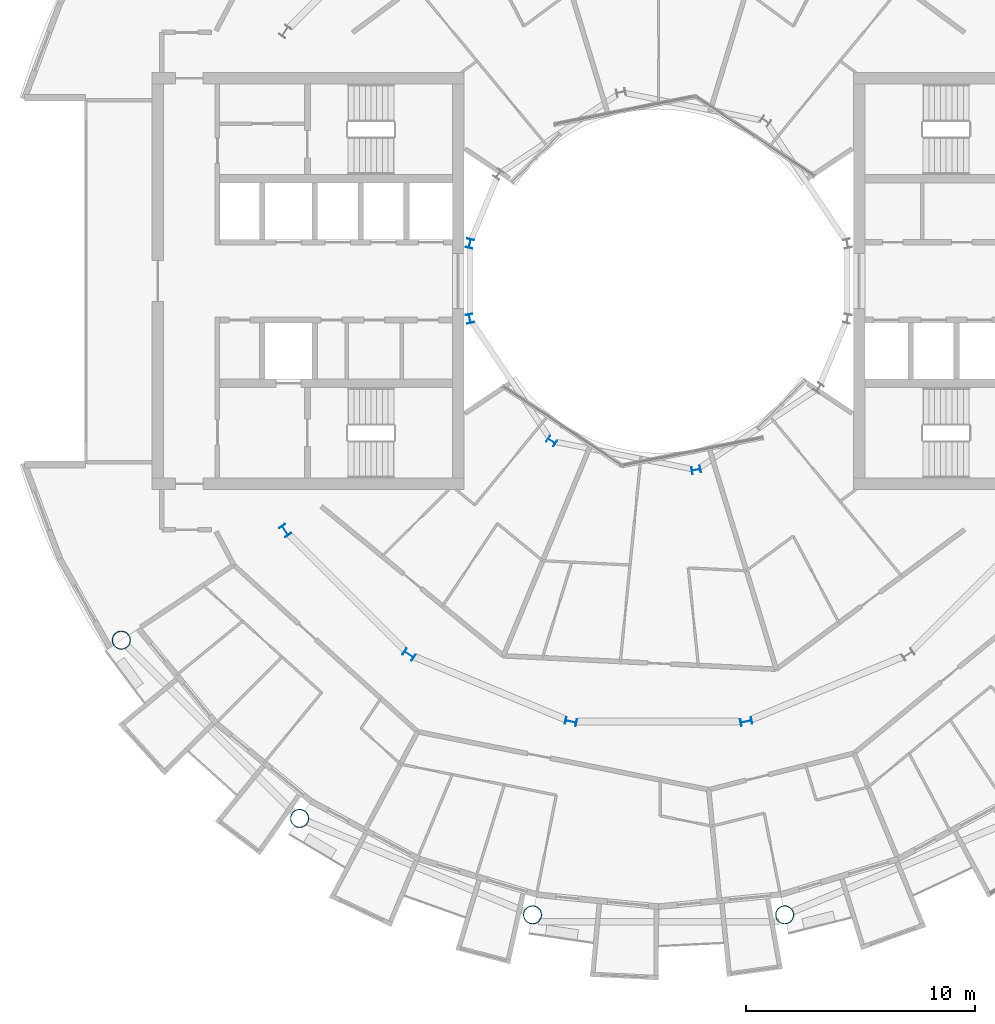
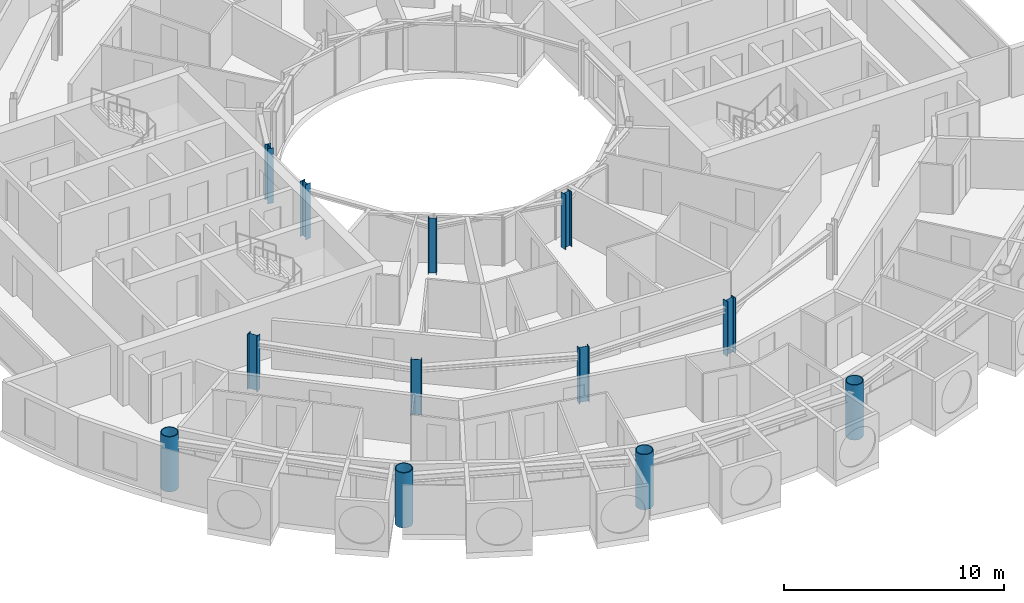
# One storey, part 1 of 26: 12 columns.
"""IFC4 building model written with IfcOpenShell, lengths in metres."""

from ifc_helpers import new_model, si_unit, direction, frame, origin, origin_2d, place, context, subcontext, project, spatial, hollow_circle, i_section, extrude, material, material_profile, profile_set, type_object, element, save


model = new_model("IFC4")

# Units and contexts
model_context = context("Model", 3, precision=1e-05, world=origin(), true_north=direction((0.0, 1.0)))
body_context = subcontext(model_context, "Body", "Model", "MODEL_VIEW")
ifc_project = project(units=[si_unit("LENGTHUNIT", "METRE"), si_unit("AREAUNIT", "SQUARE_METRE"), si_unit("VOLUMEUNIT", "CUBIC_METRE"), si_unit("PLANEANGLEUNIT", "RADIAN"), si_unit("MASSUNIT", "GRAM", prefix="KILO")], contexts=[model_context])

# Site, building, storey
site_placement = place(None, origin())
site = spatial("IfcSite", under=ifc_project, at=site_placement, CompositionType="ELEMENT")
building_placement = place(site_placement, origin())
building = spatial("IfcBuilding", under=site, at=building_placement, Name="Maasbend Ring Residences", CompositionType="ELEMENT")
storey_placement = place(building_placement, frame((0.0, 0.0, 154.35009765625)))
storey = spatial("IfcBuildingStorey", under=building, at=storey_placement, Name="L44", CompositionType="ELEMENT", Elevation=154.35009765625)

# Columns
ifc_material_1 = material(Name="Composite concrete-filled steel tube S460NH / C80/95", Category="concrete")
ifc_material_profile_1 = material_profile(ifc_material_1, hollow_circle(Radius=0.406494140625, WallThickness=0.0400390625, at=origin_2d()), Name="Composite tube column CHS 813x40")
ifc_profile_set_1 = profile_set([ifc_material_profile_1], Name="Composite concrete-filled steel tube S460NH / C80/95")
column_type_1 = type_object("IfcColumnType", Name="Composite tube column CHS 813x40", PredefinedType="COLUMN", material=ifc_profile_set_1)
for number, where, z_axis, x_axis, name in (
    (1, (-23.447509765625, -15.6669921875, 0.0), (0.0, 0.0, 1.0), (1.0, 0.0, 0.0), "Outer column R10"),
    (2, (-15.6669921875, -23.447509765625, 0.0), (0.0, 0.0, 1.0), (1.0, 0.0, 0.0), "Outer column R11"),
    (3, (-5.50146484375, -27.658203125, 0.0), (0.0, 0.0, 1.0), (1.0, 0.0, 0.0), "Outer column R12"),
    (4, (5.50146484375, -27.658203125, 0.0), (0.0, 0.0, 1.0), (1.0, 0.0, 0.0), "Outer column R13"),
):
    element("IfcColumn", number, at=place(storey_placement, frame(where, z_axis=z_axis, x_axis=x_axis)), inside=storey, type_object=column_type_1, Name=name, PredefinedType="COLUMN", context=body_context, shape_type="SweptSolid", body=[
        extrude(hollow_circle(Radius=0.406494140625, WallThickness=0.0400390625, at=origin_2d()), origin(), (0.0, 0.0, 1.0), 3.0498046875),
    ])
ifc_material_2 = material(Name="Steel S355J2", Category="steel")
ifc_material_profile_2 = material_profile(ifc_material_2, i_section(OverallWidth=0.300048828125, OverallDepth=0.389892578125, WebThickness=0.010986328125, FlangeThickness=0.01904296875, FilletRadius=0.027099609375, at=origin_2d()), Name="HEA 400")
ifc_profile_set_2 = profile_set([ifc_material_profile_2], Name="Steel S355J2")
column_type_2 = type_object("IfcColumnType", Name="Steel column HEA 400", PredefinedType="COLUMN", material=ifc_profile_set_2)
for number, where, z_axis, x_axis, name in (
    (5, (-8.238525390625, 1.638916015625, 0.0), (0.0, 0.0, 1.0), (-0.980785280403, 0.195090322016, 0.0), "Well ring column R8"),
    (6, (-8.238525390625, -1.638916015625, 0.0), (0.0, 0.0, 1.0), (-0.980785280403, -0.195090322016, 0.0), "Well ring column R9"),
    (7, (-4.666748046875, -6.984375, 0.0), (0.0, 0.0, 1.0), (-0.55557023302, -0.831469612303, 0.0), "Well ring column R11"),
    (8, (1.638916015625, -8.238525390625, 0.0), (0.0, 0.0, 1.0), (0.195090322016, -0.980785280403, 0.0), "Well ring column R13"),
):
    element("IfcColumn", number, at=place(storey_placement, frame(where, z_axis=z_axis, x_axis=x_axis)), inside=storey, type_object=column_type_2, Name=name, PredefinedType="COLUMN", context=body_context, shape_type="SweptSolid", body=[
        extrude(i_section(OverallWidth=0.300048828125, OverallDepth=0.389892578125, WebThickness=0.010986328125, FlangeThickness=0.01904296875, FilletRadius=0.027099609375, at=origin_2d()), origin(), (0.0, 0.0, 1.0), 3.0498046875),
    ])
ifc_material_3 = material(Name="Steel S355J2", Category="steel")
ifc_material_profile_3 = material_profile(ifc_material_3, i_section(OverallWidth=0.300048828125, OverallDepth=0.5, WebThickness=0.014404296875, FlangeThickness=0.028076171875, FilletRadius=0.027099609375, at=origin_2d()), Name="HEB 500")
ifc_profile_set_3 = profile_set([ifc_material_profile_3], Name="Steel S355J2")
column_type_3 = type_object("IfcColumnType", Name="Steel column HEB 500", PredefinedType="COLUMN", material=ifc_profile_set_3)
for number, where, z_axis, x_axis, name in (
    (9, (-16.296875, -10.88916015625, 0.0), (0.0, 0.0, 1.0), (-0.831469612303, -0.55557023302, 0.0), "Corridor ring column R10"),
    (10, (-10.88916015625, -16.296875, 0.0), (0.0, 0.0, 1.0), (-0.55557023302, -0.831469612303, 0.0), "Corridor ring column R11"),
    (11, (-3.82373046875, -19.223388671875, 0.0), (0.0, 0.0, 1.0), (-0.195090322016, -0.980785280403, 0.0), "Corridor ring column R12"),
    (12, (3.82373046875, -19.223388671875, 0.0), (0.0, 0.0, 1.0), (0.195090322016, -0.980785280403, 0.0), "Corridor ring column R13"),
):
    element("IfcColumn", number, at=place(storey_placement, frame(where, z_axis=z_axis, x_axis=x_axis)), inside=storey, type_object=column_type_3, Name=name, PredefinedType="COLUMN", context=body_context, shape_type="SweptSolid", body=[
        extrude(i_section(OverallWidth=0.300048828125, OverallDepth=0.5, WebThickness=0.014404296875, FlangeThickness=0.028076171875, FilletRadius=0.027099609375, at=origin_2d()), origin(), (0.0, 0.0, 1.0), 3.0498046875),
    ])

save(model, "model.ifc")
